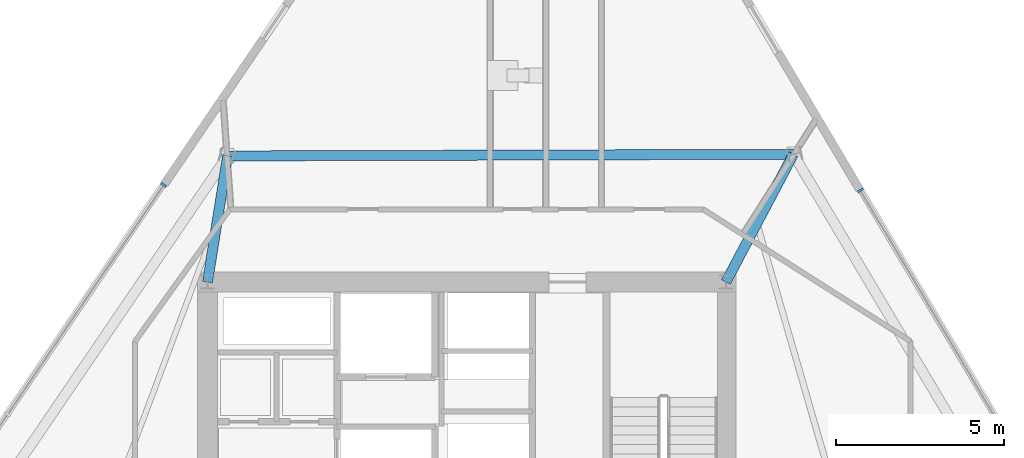
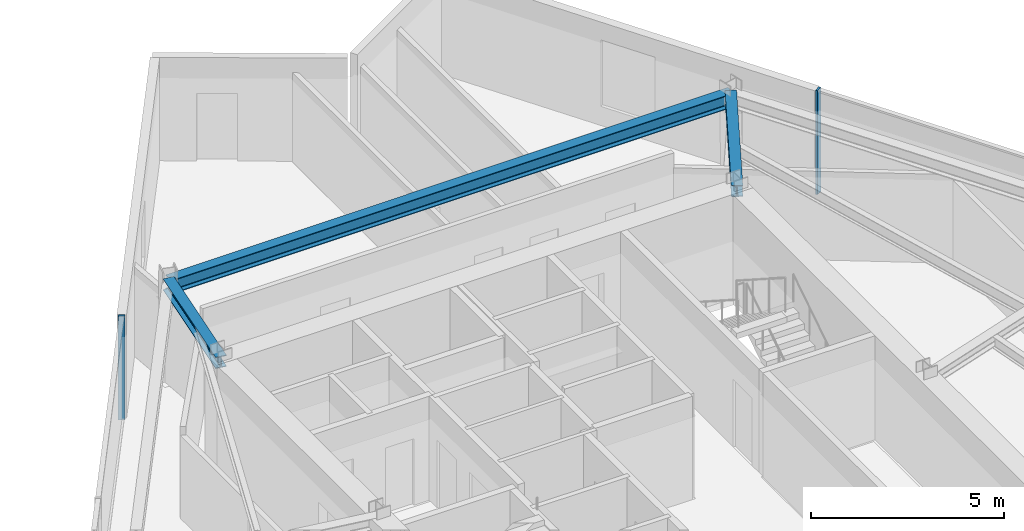
# One storey, part 6 of 15: 3 beams, 2 members, 2 elements without a shape of their own.
"""IFC4 building model written with IfcOpenShell, lengths in metres."""

from ifc_helpers import new_model, si_unit, direction, frame, origin, origin_2d, place, context, subcontext, project, spatial, rectangle, i_section, extrude, material, material_profile, profile_set, type_object, element, aggregate, save


model = new_model("IFC4")

# Units and contexts
model_context = context("Model", 3, precision=1e-05, world=origin(), true_north=direction((0.0, 1.0)))
body_context = subcontext(model_context, "Body", "Model", "MODEL_VIEW")
ifc_project = project(units=[si_unit("LENGTHUNIT", "METRE"), si_unit("AREAUNIT", "SQUARE_METRE"), si_unit("VOLUMEUNIT", "CUBIC_METRE"), si_unit("PLANEANGLEUNIT", "RADIAN"), si_unit("MASSUNIT", "GRAM", prefix="KILO")], contexts=[model_context])

# Site, building, storey
site_placement = place(None, origin())
site = spatial("IfcSite", under=ifc_project, at=site_placement, CompositionType="ELEMENT")
building_placement = place(site_placement, origin())
building = spatial("IfcBuilding", under=site, at=building_placement, Name="Savorim Split Tower", CompositionType="ELEMENT")
storey_placement = place(building_placement, frame((0.0, 0.0, 125.699951171875)))
storey = spatial("IfcBuildingStorey", under=building, at=storey_placement, Name="L33", CompositionType="ELEMENT", Elevation=125.699951171875)

# Beams
ifc_material_1 = material(Name="Steel S355", Category="steel")
ifc_material_profile_1 = material_profile(ifc_material_1, i_section(OverallWidth=0.300048828125, OverallDepth=0.360107421875, WebThickness=0.012451171875, FlangeThickness=0.0224609375, FilletRadius=0.027099609375, at=origin_2d()), Name="HEB 360")
ifc_profile_set_1 = profile_set([ifc_material_profile_1], Name="Steel S355")
beam_type_1 = type_object("IfcBeamType", Name="BM-PRI-HEB360", PredefinedType="BEAM", material=ifc_profile_set_1)
beam_1_placement = place(storey_placement, frame((9.702392578125, 13.994140625, 3.10009765625), z_axis=(-0.466749965024, -0.884389320463, 0.0), x_axis=(0.884389320463, -0.466749965024, 0.0)))
element("IfcBeam", 1, at=beam_1_placement, inside=storey, type_object=beam_type_1, Name="L33 Primary Floor Girder RG-07", PredefinedType="BEAM", context=body_context, shape_type="SweptSolid", body=[
    extrude(i_section(OverallWidth=0.300048828125, OverallDepth=0.360107421875, WebThickness=0.012451171875, FlangeThickness=0.0224609375, FilletRadius=0.027099609375, at=origin_2d()), origin(), (0.0, 0.0, 1.0), 4.290283203125),
])
beam_2_placement = place(storey_placement, frame((-7.10498046875, 13.9453125, 3.10009765625), z_axis=(-0.156888150123, -0.987616377118, 0.0), x_axis=(0.987616377118, -0.156888150123, 0.0)))
element("IfcBeam", 2, at=beam_2_placement, inside=storey, type_object=beam_type_1, Name="L33 Primary Floor Girder RG-08", PredefinedType="BEAM", context=body_context, shape_type="SweptSolid", body=[
    extrude(i_section(OverallWidth=0.300048828125, OverallDepth=0.360107421875, WebThickness=0.012451171875, FlangeThickness=0.0224609375, FilletRadius=0.027099609375, at=origin_2d()), origin(), (0.0, 0.0, 1.0), 3.792236328125),
])
ifc_material_profile_2 = material_profile(ifc_material_1, i_section(OverallWidth=0.300048828125, OverallDepth=0.43994140625, WebThickness=0.011474609375, FlangeThickness=0.02099609375, FilletRadius=0.027099609375, at=origin_2d()), Name="HEA 450")
ifc_profile_set_2 = profile_set([ifc_material_profile_2], Name="Steel S355")
beam_type_2 = type_object("IfcBeamType", Name="BM-SPN-HEA450", PredefinedType="SPANDREL", material=ifc_profile_set_2)
beam_3_placement = place(storey_placement, frame((9.702392578125, 13.994140625, 3.06005859375), z_axis=(-0.999995780046, -0.002905148759, 0.0), x_axis=(0.002905148759, -0.999995780046, 0.0)))
element("IfcBeam", 3, at=beam_3_placement, inside=storey, type_object=beam_type_2, Name="L33 Perimeter Spandrel Beam 7", PredefinedType="SPANDREL", context=body_context, shape_type="SweptSolid", body=[
    extrude(i_section(OverallWidth=0.300048828125, OverallDepth=0.43994140625, WebThickness=0.011474609375, FlangeThickness=0.02099609375, FilletRadius=0.027099609375, at=origin_2d()), origin(), (0.0, 0.0, 1.0), 16.807373046875),
])

# Curtain wall, member
ifc_material_2 = material(Name="Dark Ceramic-Fritted Insulated Glass", Category="glass")
curtain_wall_type = type_object("IfcCurtainWallType", Name="CW-TWR-FRIT-A", PredefinedType="NOTDEFINED", material=ifc_material_2)
curtain_wall_1_placement = place(storey_placement, origin())
curtain_wall_1 = element("IfcCurtainWall", 4, at=curtain_wall_1_placement, inside=storey, type_object=curtain_wall_type, Name="L33 Curtain Wall CW-L33-EAST", PredefinedType="NOTDEFINED")
ifc_material_3 = material(Name="Charcoal Anodised Aluminium", Category="aluminium")
ifc_material_profile_3 = material_profile(ifc_material_3, rectangle(XDim=0.179931640625, YDim=0.06494140625, at=origin_2d()), Name="ALU-M 180x65")
ifc_profile_set_3 = profile_set([ifc_material_profile_3], Name="Charcoal Anodised Aluminium")
member_type = type_object("IfcMemberType", Name="CWM-180x65", PredefinedType="MULLION", material=ifc_profile_set_3)
member_1_placement = place(storey_placement, frame((11.690185546875, 12.921630859375, 0.0), z_axis=(0.0, 0.0, 1.0), x_axis=(-0.859525409745, -0.51109301502, 0.0)))
member_1 = element("IfcMember", 5, at=member_1_placement, type_object=member_type, Name="CW-02 mullion 5", PredefinedType="MULLION", context=body_context, shape_type="SweptSolid", body=[
    extrude(rectangle(XDim=0.179931640625, YDim=0.06494140625, at=origin_2d()), origin(), (0.0, 0.0, 1.0), 3.280029296875),
])
aggregate(curtain_wall_1, [member_1])

curtain_wall_2_placement = place(storey_placement, origin())
curtain_wall_2 = element("IfcCurtainWall", 6, at=curtain_wall_2_placement, inside=storey, type_object=curtain_wall_type, Name="L33 Curtain Wall CW-L33-WEST", PredefinedType="NOTDEFINED")
member_2_placement = place(storey_placement, frame((-9.002197265625, 13.08154296875, 0.0), z_axis=(0.0, 0.0, 1.0), x_axis=(0.826819959579, -0.562466669628, 0.0)))
member_2 = element("IfcMember", 7, at=member_2_placement, type_object=member_type, Name="CW-02 mullion 1", PredefinedType="MULLION", context=body_context, shape_type="SweptSolid", body=[
    extrude(rectangle(XDim=0.179931640625, YDim=0.06494140625, at=origin_2d()), origin(), (0.0, 0.0, 1.0), 3.280029296875),
])
aggregate(curtain_wall_2, [member_2])

save(model, "model.ifc")
